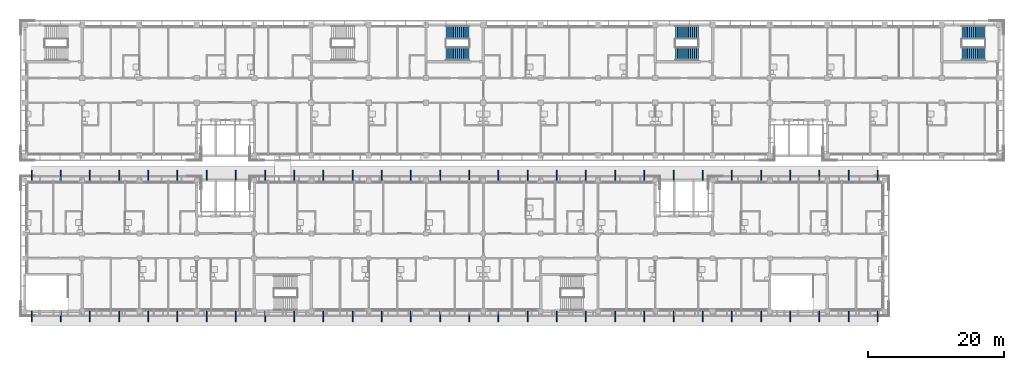
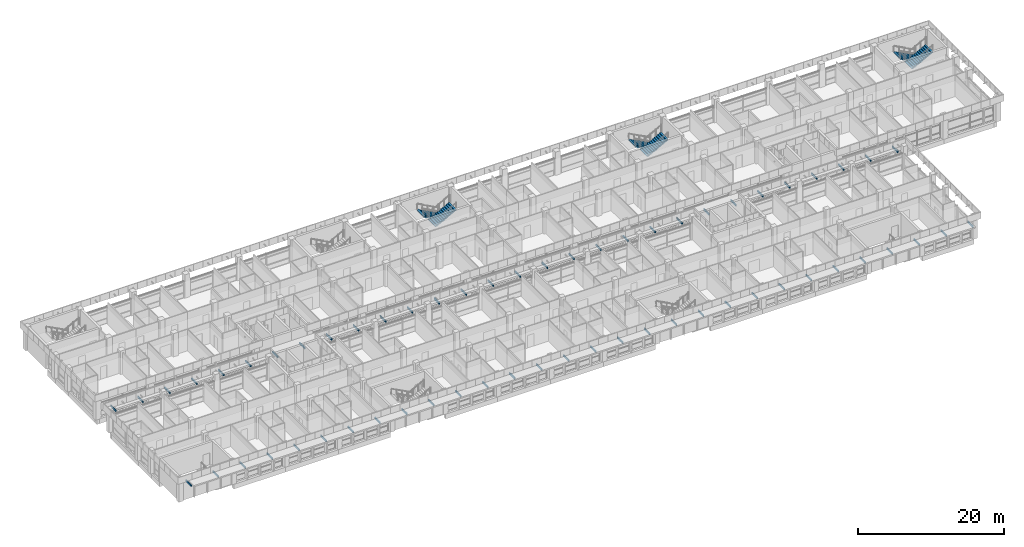
# One storey, part 41 of 71: 60 discrete accessories, 6 stair flights, 3 elements without a shape of their own.
"""IFC4 building model written with IfcOpenShell, lengths in metres."""

from ifc_helpers import new_model, si_unit, direction, frame, origin, origin_2d, place, context, subcontext, project, spatial, polyline, rectangle, outline, extrude, material, type_object, element, aggregate, save


model = new_model("IFC4")

# Units and contexts
model_context = context("Model", 3, precision=1e-05, world=origin(), true_north=direction((0.0, 1.0)))
body_context = subcontext(model_context, "Body", "Model", "MODEL_VIEW")
ifc_project = project(units=[si_unit("LENGTHUNIT", "METRE"), si_unit("AREAUNIT", "SQUARE_METRE"), si_unit("VOLUMEUNIT", "CUBIC_METRE"), si_unit("PLANEANGLEUNIT", "RADIAN"), si_unit("MASSUNIT", "GRAM", prefix="KILO")], contexts=[model_context])

# Site, building, storey
site_placement = place(None, origin())
site = spatial("IfcSite", under=ifc_project, at=site_placement, CompositionType="ELEMENT")
building_placement = place(site_placement, origin())
building = spatial("IfcBuilding", under=site, at=building_placement, Name="Bougainvillea Quay General Hospital", CompositionType="ELEMENT")
storey_placement = place(building_placement, frame((0.0, 0.0, 24.89990234375)))
storey = spatial("IfcBuildingStorey", under=building, at=storey_placement, Name="L05", CompositionType="ELEMENT", Elevation=24.89990234375)

# Stair, stair flights
ifc_material_1 = material(Name="Concrete C35", Category="concrete")
stair_type = type_object("IfcStairType", Name="Stair half-turn 1925 wide", PredefinedType="HALF_TURN_STAIR", material=ifc_material_1)
stair_1_placement = place(storey_placement, origin())
stair_1 = element("IfcStair", 1, at=stair_1_placement, inside=storey, type_object=stair_type, Name="L05 stair ST-A3", PredefinedType="HALF_TURN_STAIR")
stair_flight_type = type_object("IfcStairFlightType", Name="Stair flight 1925", PredefinedType="STRAIGHT", material=ifc_material_1)
stair_flight_1_placement = place(storey_placement, frame((140.699951171875, 158.46240234375, 0.0), z_axis=(0.0, 0.0, 1.0), x_axis=(-1.0, 0.0, 0.0)))
stair_flight_1 = element("IfcStairFlight", 2, at=stair_flight_1_placement, type_object=stair_flight_type, Name="ST-A3 flight 1", NumberOfRisers=13, NumberOfTreads=12, PredefinedType="STRAIGHT", RiserHeight=0.15, TreadLength=0.28, context=body_context, shape_type="SweptSolid", body=[
    extrude(outline(polyline([(-0.0029296875, 0.0), (-0.0029296875, 0.003662109375), (-0.0029296875, 0.00732421875), (-0.0029296875, 0.010986328125), (-0.0029296875, 0.0146484375), (-0.0029296875, 0.018310546875), (-0.0029296875, 0.02197265625), (-0.0029296875, 0.025634765625), (-0.0029296875, 0.029296875), (-0.0029296875, 0.032958984375), (-0.0029296875, 0.03662109375), (-0.0029296875, 0.040283203125), (-0.0029296875, 0.0439453125), (-0.0029296875, 0.047607421875), (-0.0029296875, 0.05126953125), (-0.0029296875, 0.054931640625), (-0.0029296875, 0.05859375), (-0.0029296875, 0.062255859375), (-0.0029296875, 0.06591796875), (-0.0029296875, 0.069580078125), (-0.0029296875, 0.0732421875), (-0.0029296875, 0.076904296875), (-0.0029296875, 0.08056640625), (-0.0029296875, 0.084228515625), (-0.0029296875, 0.087890625), (-0.0029296875, 0.091552734375), (-0.0029296875, 0.09521484375), (-0.0029296875, 0.098876953125), (-0.0029296875, 0.1025390625), (-0.0029296875, 0.106201171875), (-0.0029296875, 0.10986328125), (-0.0029296875, 0.113525390625), (-0.0029296875, 0.1171875), (-0.0029296875, 0.120849609375), (-0.0029296875, 0.12451171875), (-0.0029296875, 0.1279296875), (-0.0029296875, 0.131591796875), (-0.0029296875, 0.13525390625), (-0.0029296875, 0.138916015625), (-0.0029296875, 0.142578125), (-0.0029296875, 0.146240234375), (-0.0029296875, 0.14990234375), (0.280029296875, 0.14990234375), (0.280029296875, 0.300048828125), (0.56005859375, 0.300048828125), (0.56005859375, 0.449951171875), (0.840087890625, 0.449951171875), (0.840087890625, 0.60009765625), (1.1201171875, 0.60009765625), (1.1201171875, 0.75), (1.39990234375, 0.75), (1.39990234375, 0.89990234375), (1.679931640625, 0.89990234375), (1.679931640625, 1.050048828125), (1.9599609375, 1.050048828125), (1.9599609375, 1.199951171875), (2.239990234375, 1.199951171875), (2.239990234375, 1.35009765625), (2.52001953125, 1.35009765625), (2.52001953125, 1.5), (2.800048828125, 1.5), (2.800048828125, 1.64990234375), (3.080078125, 1.64990234375), (3.080078125, 1.800048828125), (3.363037109375, 1.800048828125), (3.363037109375, 1.7958984375), (3.363037109375, 1.791748046875), (3.363037109375, 1.78759765625), (3.363037109375, 1.783447265625), (3.363037109375, 1.779296875), (3.363037109375, 1.775146484375), (3.363037109375, 1.77099609375), (3.363037109375, 1.766845703125), (3.363037109375, 1.7626953125), (3.363037109375, 1.758544921875), (3.363037109375, 1.75439453125), (3.363037109375, 1.750244140625), (3.363037109375, 1.74609375), (3.363037109375, 1.741943359375), (3.363037109375, 1.73779296875), (3.363037109375, 1.733642578125), (3.363037109375, 1.7294921875), (3.363037109375, 1.725341796875), (3.363037109375, 1.72119140625), (3.363037109375, 1.717041015625), (3.363037109375, 1.712890625), (3.363037109375, 1.708740234375), (3.363037109375, 1.70458984375), (3.363037109375, 1.700439453125), (3.363037109375, 1.6962890625), (3.363037109375, 1.692138671875), (3.363037109375, 1.68798828125), (3.363037109375, 1.683837890625), (3.363037109375, 1.6796875), (3.363037109375, 1.675537109375), (3.363037109375, 1.67138671875), (3.363037109375, 1.667236328125), (3.363037109375, 1.6630859375), (3.363037109375, 1.658935546875), (3.363037109375, 1.65478515625), (3.363037109375, 1.650634765625), (3.363037109375, 1.646484375), (3.363037109375, 1.642333984375), (3.363037109375, 1.63818359375), (3.363037109375, 1.634033203125), (3.363037109375, 1.6298828125), (0.3173828125, 0.0), (-0.0029296875, 0.0)])), frame((0.0, 0.96240234375, 0.0), z_axis=(0.0, -1.0, 0.0), x_axis=(1.0, 0.0, 0.0)), (0.0, 0.0, 1.0), 1.925048828125),
])
stair_flight_2_placement = place(storey_placement, frame((137.340087890625, 155.33740234375, 1.9501953125), z_axis=(0.0, 0.0, 1.0), x_axis=(1.0, 0.0, 0.0)))
stair_flight_2 = element("IfcStairFlight", 3, at=stair_flight_2_placement, type_object=stair_flight_type, Name="ST-A3 flight 2", NumberOfRisers=13, NumberOfTreads=12, PredefinedType="STRAIGHT", RiserHeight=0.15, TreadLength=0.28, context=body_context, shape_type="SweptSolid", body=[
    extrude(outline(polyline([(-0.0029296875, 0.0), (-0.0029296875, 0.003662109375), (-0.0029296875, 0.00732421875), (-0.0029296875, 0.010986328125), (-0.0029296875, 0.0146484375), (-0.0029296875, 0.018310546875), (-0.0029296875, 0.02197265625), (-0.0029296875, 0.025634765625), (-0.0029296875, 0.029296875), (-0.0029296875, 0.032958984375), (-0.0029296875, 0.03662109375), (-0.0029296875, 0.040283203125), (-0.0029296875, 0.0439453125), (-0.0029296875, 0.047607421875), (-0.0029296875, 0.05126953125), (-0.0029296875, 0.054931640625), (-0.0029296875, 0.05859375), (-0.0029296875, 0.062255859375), (-0.0029296875, 0.06591796875), (-0.0029296875, 0.069580078125), (-0.0029296875, 0.0732421875), (-0.0029296875, 0.076904296875), (-0.0029296875, 0.08056640625), (-0.0029296875, 0.084228515625), (-0.0029296875, 0.087890625), (-0.0029296875, 0.091552734375), (-0.0029296875, 0.09521484375), (-0.0029296875, 0.098876953125), (-0.0029296875, 0.1025390625), (-0.0029296875, 0.106201171875), (-0.0029296875, 0.10986328125), (-0.0029296875, 0.113525390625), (-0.0029296875, 0.1171875), (-0.0029296875, 0.120849609375), (-0.0029296875, 0.12451171875), (-0.0029296875, 0.1279296875), (-0.0029296875, 0.131591796875), (-0.0029296875, 0.13525390625), (-0.0029296875, 0.138916015625), (-0.0029296875, 0.142578125), (-0.0029296875, 0.146240234375), (-0.0029296875, 0.14990234375), (0.280029296875, 0.14990234375), (0.280029296875, 0.300048828125), (0.56005859375, 0.300048828125), (0.56005859375, 0.449951171875), (0.840087890625, 0.449951171875), (0.840087890625, 0.60009765625), (1.1201171875, 0.60009765625), (1.1201171875, 0.75), (1.39990234375, 0.75), (1.39990234375, 0.89990234375), (1.679931640625, 0.89990234375), (1.679931640625, 1.050048828125), (1.9599609375, 1.050048828125), (1.9599609375, 1.199951171875), (2.239990234375, 1.199951171875), (2.239990234375, 1.35009765625), (2.52001953125, 1.35009765625), (2.52001953125, 1.5), (2.800048828125, 1.5), (2.800048828125, 1.64990234375), (3.080078125, 1.64990234375), (3.080078125, 1.800048828125), (3.363037109375, 1.800048828125), (3.363037109375, 1.7958984375), (3.363037109375, 1.791748046875), (3.363037109375, 1.78759765625), (3.363037109375, 1.783447265625), (3.363037109375, 1.779296875), (3.363037109375, 1.775146484375), (3.363037109375, 1.77099609375), (3.363037109375, 1.766845703125), (3.363037109375, 1.7626953125), (3.363037109375, 1.758544921875), (3.363037109375, 1.75439453125), (3.363037109375, 1.750244140625), (3.363037109375, 1.74609375), (3.363037109375, 1.741943359375), (3.363037109375, 1.73779296875), (3.363037109375, 1.733642578125), (3.363037109375, 1.7294921875), (3.363037109375, 1.725341796875), (3.363037109375, 1.72119140625), (3.363037109375, 1.717041015625), (3.363037109375, 1.712890625), (3.363037109375, 1.708740234375), (3.363037109375, 1.70458984375), (3.363037109375, 1.700439453125), (3.363037109375, 1.6962890625), (3.363037109375, 1.692138671875), (3.363037109375, 1.68798828125), (3.363037109375, 1.683837890625), (3.363037109375, 1.6796875), (3.363037109375, 1.675537109375), (3.363037109375, 1.67138671875), (3.363037109375, 1.667236328125), (3.363037109375, 1.6630859375), (3.363037109375, 1.658935546875), (3.363037109375, 1.65478515625), (3.363037109375, 1.650634765625), (3.363037109375, 1.646484375), (3.363037109375, 1.642333984375), (3.363037109375, 1.63818359375), (3.363037109375, 1.634033203125), (3.363037109375, 1.6298828125), (0.3173828125, 0.0), (-0.0029296875, 0.0)])), frame((0.0, 0.96240234375, 0.0), z_axis=(0.0, -1.0, 0.0), x_axis=(1.0, 0.0, 0.0)), (0.0, 0.0, 1.0), 1.925048828125),
])
aggregate(stair_1, [stair_flight_1, stair_flight_2])

stair_2_placement = place(storey_placement, origin())
stair_2 = element("IfcStair", 4, at=stair_2_placement, inside=storey, type_object=stair_type, Name="L05 stair ST-A4", PredefinedType="HALF_TURN_STAIR")
stair_flight_3_placement = place(storey_placement, frame((182.699951171875, 158.46240234375, 0.0), z_axis=(0.0, 0.0, 1.0), x_axis=(-1.0, 0.0, 0.0)))
stair_flight_3 = element("IfcStairFlight", 5, at=stair_flight_3_placement, type_object=stair_flight_type, Name="ST-A4 flight 1", NumberOfRisers=13, NumberOfTreads=12, PredefinedType="STRAIGHT", RiserHeight=0.15, TreadLength=0.28, context=body_context, shape_type="SweptSolid", body=[
    extrude(outline(polyline([(-0.0029296875, 0.0), (-0.0029296875, 0.003662109375), (-0.0029296875, 0.00732421875), (-0.0029296875, 0.010986328125), (-0.0029296875, 0.0146484375), (-0.0029296875, 0.018310546875), (-0.0029296875, 0.02197265625), (-0.0029296875, 0.025634765625), (-0.0029296875, 0.029296875), (-0.0029296875, 0.032958984375), (-0.0029296875, 0.03662109375), (-0.0029296875, 0.040283203125), (-0.0029296875, 0.0439453125), (-0.0029296875, 0.047607421875), (-0.0029296875, 0.05126953125), (-0.0029296875, 0.054931640625), (-0.0029296875, 0.05859375), (-0.0029296875, 0.062255859375), (-0.0029296875, 0.06591796875), (-0.0029296875, 0.069580078125), (-0.0029296875, 0.0732421875), (-0.0029296875, 0.076904296875), (-0.0029296875, 0.08056640625), (-0.0029296875, 0.084228515625), (-0.0029296875, 0.087890625), (-0.0029296875, 0.091552734375), (-0.0029296875, 0.09521484375), (-0.0029296875, 0.098876953125), (-0.0029296875, 0.1025390625), (-0.0029296875, 0.106201171875), (-0.0029296875, 0.10986328125), (-0.0029296875, 0.113525390625), (-0.0029296875, 0.1171875), (-0.0029296875, 0.120849609375), (-0.0029296875, 0.12451171875), (-0.0029296875, 0.1279296875), (-0.0029296875, 0.131591796875), (-0.0029296875, 0.13525390625), (-0.0029296875, 0.138916015625), (-0.0029296875, 0.142578125), (-0.0029296875, 0.146240234375), (-0.0029296875, 0.14990234375), (0.280029296875, 0.14990234375), (0.280029296875, 0.300048828125), (0.56005859375, 0.300048828125), (0.56005859375, 0.449951171875), (0.840087890625, 0.449951171875), (0.840087890625, 0.60009765625), (1.1201171875, 0.60009765625), (1.1201171875, 0.75), (1.39990234375, 0.75), (1.39990234375, 0.89990234375), (1.679931640625, 0.89990234375), (1.679931640625, 1.050048828125), (1.9599609375, 1.050048828125), (1.9599609375, 1.199951171875), (2.239990234375, 1.199951171875), (2.239990234375, 1.35009765625), (2.52001953125, 1.35009765625), (2.52001953125, 1.5), (2.800048828125, 1.5), (2.800048828125, 1.64990234375), (3.080078125, 1.64990234375), (3.080078125, 1.800048828125), (3.363037109375, 1.800048828125), (3.363037109375, 1.7958984375), (3.363037109375, 1.791748046875), (3.363037109375, 1.78759765625), (3.363037109375, 1.783447265625), (3.363037109375, 1.779296875), (3.363037109375, 1.775146484375), (3.363037109375, 1.77099609375), (3.363037109375, 1.766845703125), (3.363037109375, 1.7626953125), (3.363037109375, 1.758544921875), (3.363037109375, 1.75439453125), (3.363037109375, 1.750244140625), (3.363037109375, 1.74609375), (3.363037109375, 1.741943359375), (3.363037109375, 1.73779296875), (3.363037109375, 1.733642578125), (3.363037109375, 1.7294921875), (3.363037109375, 1.725341796875), (3.363037109375, 1.72119140625), (3.363037109375, 1.717041015625), (3.363037109375, 1.712890625), (3.363037109375, 1.708740234375), (3.363037109375, 1.70458984375), (3.363037109375, 1.700439453125), (3.363037109375, 1.6962890625), (3.363037109375, 1.692138671875), (3.363037109375, 1.68798828125), (3.363037109375, 1.683837890625), (3.363037109375, 1.6796875), (3.363037109375, 1.675537109375), (3.363037109375, 1.67138671875), (3.363037109375, 1.667236328125), (3.363037109375, 1.6630859375), (3.363037109375, 1.658935546875), (3.363037109375, 1.65478515625), (3.363037109375, 1.650634765625), (3.363037109375, 1.646484375), (3.363037109375, 1.642333984375), (3.363037109375, 1.63818359375), (3.363037109375, 1.634033203125), (3.363037109375, 1.6298828125), (0.3173828125, 0.0), (-0.0029296875, 0.0)])), frame((0.0, 0.96240234375, 0.0), z_axis=(0.0, -1.0, 0.0), x_axis=(1.0, 0.0, 0.0)), (0.0, 0.0, 1.0), 1.925048828125),
])
stair_flight_4_placement = place(storey_placement, frame((179.340087890625, 155.33740234375, 1.9501953125), z_axis=(0.0, 0.0, 1.0), x_axis=(1.0, 0.0, 0.0)))
stair_flight_4 = element("IfcStairFlight", 6, at=stair_flight_4_placement, type_object=stair_flight_type, Name="ST-A4 flight 2", NumberOfRisers=13, NumberOfTreads=12, PredefinedType="STRAIGHT", RiserHeight=0.15, TreadLength=0.28, context=body_context, shape_type="SweptSolid", body=[
    extrude(outline(polyline([(-0.0029296875, 0.0), (-0.0029296875, 0.003662109375), (-0.0029296875, 0.00732421875), (-0.0029296875, 0.010986328125), (-0.0029296875, 0.0146484375), (-0.0029296875, 0.018310546875), (-0.0029296875, 0.02197265625), (-0.0029296875, 0.025634765625), (-0.0029296875, 0.029296875), (-0.0029296875, 0.032958984375), (-0.0029296875, 0.03662109375), (-0.0029296875, 0.040283203125), (-0.0029296875, 0.0439453125), (-0.0029296875, 0.047607421875), (-0.0029296875, 0.05126953125), (-0.0029296875, 0.054931640625), (-0.0029296875, 0.05859375), (-0.0029296875, 0.062255859375), (-0.0029296875, 0.06591796875), (-0.0029296875, 0.069580078125), (-0.0029296875, 0.0732421875), (-0.0029296875, 0.076904296875), (-0.0029296875, 0.08056640625), (-0.0029296875, 0.084228515625), (-0.0029296875, 0.087890625), (-0.0029296875, 0.091552734375), (-0.0029296875, 0.09521484375), (-0.0029296875, 0.098876953125), (-0.0029296875, 0.1025390625), (-0.0029296875, 0.106201171875), (-0.0029296875, 0.10986328125), (-0.0029296875, 0.113525390625), (-0.0029296875, 0.1171875), (-0.0029296875, 0.120849609375), (-0.0029296875, 0.12451171875), (-0.0029296875, 0.1279296875), (-0.0029296875, 0.131591796875), (-0.0029296875, 0.13525390625), (-0.0029296875, 0.138916015625), (-0.0029296875, 0.142578125), (-0.0029296875, 0.146240234375), (-0.0029296875, 0.14990234375), (0.280029296875, 0.14990234375), (0.280029296875, 0.300048828125), (0.56005859375, 0.300048828125), (0.56005859375, 0.449951171875), (0.840087890625, 0.449951171875), (0.840087890625, 0.60009765625), (1.1201171875, 0.60009765625), (1.1201171875, 0.75), (1.39990234375, 0.75), (1.39990234375, 0.89990234375), (1.679931640625, 0.89990234375), (1.679931640625, 1.050048828125), (1.9599609375, 1.050048828125), (1.9599609375, 1.199951171875), (2.239990234375, 1.199951171875), (2.239990234375, 1.35009765625), (2.52001953125, 1.35009765625), (2.52001953125, 1.5), (2.800048828125, 1.5), (2.800048828125, 1.64990234375), (3.080078125, 1.64990234375), (3.080078125, 1.800048828125), (3.363037109375, 1.800048828125), (3.363037109375, 1.7958984375), (3.363037109375, 1.791748046875), (3.363037109375, 1.78759765625), (3.363037109375, 1.783447265625), (3.363037109375, 1.779296875), (3.363037109375, 1.775146484375), (3.363037109375, 1.77099609375), (3.363037109375, 1.766845703125), (3.363037109375, 1.7626953125), (3.363037109375, 1.758544921875), (3.363037109375, 1.75439453125), (3.363037109375, 1.750244140625), (3.363037109375, 1.74609375), (3.363037109375, 1.741943359375), (3.363037109375, 1.73779296875), (3.363037109375, 1.733642578125), (3.363037109375, 1.7294921875), (3.363037109375, 1.725341796875), (3.363037109375, 1.72119140625), (3.363037109375, 1.717041015625), (3.363037109375, 1.712890625), (3.363037109375, 1.708740234375), (3.363037109375, 1.70458984375), (3.363037109375, 1.700439453125), (3.363037109375, 1.6962890625), (3.363037109375, 1.692138671875), (3.363037109375, 1.68798828125), (3.363037109375, 1.683837890625), (3.363037109375, 1.6796875), (3.363037109375, 1.675537109375), (3.363037109375, 1.67138671875), (3.363037109375, 1.667236328125), (3.363037109375, 1.6630859375), (3.363037109375, 1.658935546875), (3.363037109375, 1.65478515625), (3.363037109375, 1.650634765625), (3.363037109375, 1.646484375), (3.363037109375, 1.642333984375), (3.363037109375, 1.63818359375), (3.363037109375, 1.634033203125), (3.363037109375, 1.6298828125), (0.3173828125, 0.0), (-0.0029296875, 0.0)])), frame((0.0, 0.96240234375, 0.0), z_axis=(0.0, -1.0, 0.0), x_axis=(1.0, 0.0, 0.0)), (0.0, 0.0, 1.0), 1.925048828125),
])
aggregate(stair_2, [stair_flight_3, stair_flight_4])

stair_3_placement = place(storey_placement, origin())
stair_3 = element("IfcStair", 7, at=stair_3_placement, inside=storey, type_object=stair_type, Name="L05 stair ST-A5", PredefinedType="HALF_TURN_STAIR")
stair_flight_5_placement = place(storey_placement, frame((107.10009765625, 158.46240234375, 0.0), z_axis=(0.0, 0.0, 1.0), x_axis=(-1.0, 0.0, 0.0)))
stair_flight_5 = element("IfcStairFlight", 8, at=stair_flight_5_placement, type_object=stair_flight_type, Name="ST-A5 flight 1", NumberOfRisers=13, NumberOfTreads=12, PredefinedType="STRAIGHT", RiserHeight=0.15, TreadLength=0.28, context=body_context, shape_type="SweptSolid", body=[
    extrude(outline(polyline([(-0.0029296875, 0.0), (-0.0029296875, 0.003662109375), (-0.0029296875, 0.00732421875), (-0.0029296875, 0.010986328125), (-0.0029296875, 0.0146484375), (-0.0029296875, 0.018310546875), (-0.0029296875, 0.02197265625), (-0.0029296875, 0.025634765625), (-0.0029296875, 0.029296875), (-0.0029296875, 0.032958984375), (-0.0029296875, 0.03662109375), (-0.0029296875, 0.040283203125), (-0.0029296875, 0.0439453125), (-0.0029296875, 0.047607421875), (-0.0029296875, 0.05126953125), (-0.0029296875, 0.054931640625), (-0.0029296875, 0.05859375), (-0.0029296875, 0.062255859375), (-0.0029296875, 0.06591796875), (-0.0029296875, 0.069580078125), (-0.0029296875, 0.0732421875), (-0.0029296875, 0.076904296875), (-0.0029296875, 0.08056640625), (-0.0029296875, 0.084228515625), (-0.0029296875, 0.087890625), (-0.0029296875, 0.091552734375), (-0.0029296875, 0.09521484375), (-0.0029296875, 0.098876953125), (-0.0029296875, 0.1025390625), (-0.0029296875, 0.106201171875), (-0.0029296875, 0.10986328125), (-0.0029296875, 0.113525390625), (-0.0029296875, 0.1171875), (-0.0029296875, 0.120849609375), (-0.0029296875, 0.12451171875), (-0.0029296875, 0.1279296875), (-0.0029296875, 0.131591796875), (-0.0029296875, 0.13525390625), (-0.0029296875, 0.138916015625), (-0.0029296875, 0.142578125), (-0.0029296875, 0.146240234375), (-0.0029296875, 0.14990234375), (0.280029296875, 0.14990234375), (0.280029296875, 0.300048828125), (0.56005859375, 0.300048828125), (0.56005859375, 0.449951171875), (0.840087890625, 0.449951171875), (0.840087890625, 0.60009765625), (1.1201171875, 0.60009765625), (1.1201171875, 0.75), (1.39990234375, 0.75), (1.39990234375, 0.89990234375), (1.679931640625, 0.89990234375), (1.679931640625, 1.050048828125), (1.9599609375, 1.050048828125), (1.9599609375, 1.199951171875), (2.239990234375, 1.199951171875), (2.239990234375, 1.35009765625), (2.52001953125, 1.35009765625), (2.52001953125, 1.5), (2.800048828125, 1.5), (2.800048828125, 1.64990234375), (3.080078125, 1.64990234375), (3.080078125, 1.800048828125), (3.363037109375, 1.800048828125), (3.363037109375, 1.7958984375), (3.363037109375, 1.791748046875), (3.363037109375, 1.78759765625), (3.363037109375, 1.783447265625), (3.363037109375, 1.779296875), (3.363037109375, 1.775146484375), (3.363037109375, 1.77099609375), (3.363037109375, 1.766845703125), (3.363037109375, 1.7626953125), (3.363037109375, 1.758544921875), (3.363037109375, 1.75439453125), (3.363037109375, 1.750244140625), (3.363037109375, 1.74609375), (3.363037109375, 1.741943359375), (3.363037109375, 1.73779296875), (3.363037109375, 1.733642578125), (3.363037109375, 1.7294921875), (3.363037109375, 1.725341796875), (3.363037109375, 1.72119140625), (3.363037109375, 1.717041015625), (3.363037109375, 1.712890625), (3.363037109375, 1.708740234375), (3.363037109375, 1.70458984375), (3.363037109375, 1.700439453125), (3.363037109375, 1.6962890625), (3.363037109375, 1.692138671875), (3.363037109375, 1.68798828125), (3.363037109375, 1.683837890625), (3.363037109375, 1.6796875), (3.363037109375, 1.675537109375), (3.363037109375, 1.67138671875), (3.363037109375, 1.667236328125), (3.363037109375, 1.6630859375), (3.363037109375, 1.658935546875), (3.363037109375, 1.65478515625), (3.363037109375, 1.650634765625), (3.363037109375, 1.646484375), (3.363037109375, 1.642333984375), (3.363037109375, 1.63818359375), (3.363037109375, 1.634033203125), (3.363037109375, 1.6298828125), (0.3173828125, 0.0), (-0.0029296875, 0.0)])), frame((0.0, 0.96240234375, 0.0), z_axis=(0.0, -1.0, 0.0), x_axis=(1.0, 0.0, 0.0)), (0.0, 0.0, 1.0), 1.925048828125),
])
stair_flight_6_placement = place(storey_placement, frame((103.739990234375, 155.33740234375, 1.9501953125), z_axis=(0.0, 0.0, 1.0), x_axis=(1.0, 0.0, 0.0)))
stair_flight_6 = element("IfcStairFlight", 9, at=stair_flight_6_placement, type_object=stair_flight_type, Name="ST-A5 flight 2", NumberOfRisers=13, NumberOfTreads=12, PredefinedType="STRAIGHT", RiserHeight=0.15, TreadLength=0.28, context=body_context, shape_type="SweptSolid", body=[
    extrude(outline(polyline([(-0.0029296875, 0.0), (-0.0029296875, 0.003662109375), (-0.0029296875, 0.00732421875), (-0.0029296875, 0.010986328125), (-0.0029296875, 0.0146484375), (-0.0029296875, 0.018310546875), (-0.0029296875, 0.02197265625), (-0.0029296875, 0.025634765625), (-0.0029296875, 0.029296875), (-0.0029296875, 0.032958984375), (-0.0029296875, 0.03662109375), (-0.0029296875, 0.040283203125), (-0.0029296875, 0.0439453125), (-0.0029296875, 0.047607421875), (-0.0029296875, 0.05126953125), (-0.0029296875, 0.054931640625), (-0.0029296875, 0.05859375), (-0.0029296875, 0.062255859375), (-0.0029296875, 0.06591796875), (-0.0029296875, 0.069580078125), (-0.0029296875, 0.0732421875), (-0.0029296875, 0.076904296875), (-0.0029296875, 0.08056640625), (-0.0029296875, 0.084228515625), (-0.0029296875, 0.087890625), (-0.0029296875, 0.091552734375), (-0.0029296875, 0.09521484375), (-0.0029296875, 0.098876953125), (-0.0029296875, 0.1025390625), (-0.0029296875, 0.106201171875), (-0.0029296875, 0.10986328125), (-0.0029296875, 0.113525390625), (-0.0029296875, 0.1171875), (-0.0029296875, 0.120849609375), (-0.0029296875, 0.12451171875), (-0.0029296875, 0.1279296875), (-0.0029296875, 0.131591796875), (-0.0029296875, 0.13525390625), (-0.0029296875, 0.138916015625), (-0.0029296875, 0.142578125), (-0.0029296875, 0.146240234375), (-0.0029296875, 0.14990234375), (0.280029296875, 0.14990234375), (0.280029296875, 0.300048828125), (0.56005859375, 0.300048828125), (0.56005859375, 0.449951171875), (0.840087890625, 0.449951171875), (0.840087890625, 0.60009765625), (1.1201171875, 0.60009765625), (1.1201171875, 0.75), (1.39990234375, 0.75), (1.39990234375, 0.89990234375), (1.679931640625, 0.89990234375), (1.679931640625, 1.050048828125), (1.9599609375, 1.050048828125), (1.9599609375, 1.199951171875), (2.239990234375, 1.199951171875), (2.239990234375, 1.35009765625), (2.52001953125, 1.35009765625), (2.52001953125, 1.5), (2.800048828125, 1.5), (2.800048828125, 1.64990234375), (3.080078125, 1.64990234375), (3.080078125, 1.800048828125), (3.363037109375, 1.800048828125), (3.363037109375, 1.7958984375), (3.363037109375, 1.791748046875), (3.363037109375, 1.78759765625), (3.363037109375, 1.783447265625), (3.363037109375, 1.779296875), (3.363037109375, 1.775146484375), (3.363037109375, 1.77099609375), (3.363037109375, 1.766845703125), (3.363037109375, 1.7626953125), (3.363037109375, 1.758544921875), (3.363037109375, 1.75439453125), (3.363037109375, 1.750244140625), (3.363037109375, 1.74609375), (3.363037109375, 1.741943359375), (3.363037109375, 1.73779296875), (3.363037109375, 1.733642578125), (3.363037109375, 1.7294921875), (3.363037109375, 1.725341796875), (3.363037109375, 1.72119140625), (3.363037109375, 1.717041015625), (3.363037109375, 1.712890625), (3.363037109375, 1.708740234375), (3.363037109375, 1.70458984375), (3.363037109375, 1.700439453125), (3.363037109375, 1.6962890625), (3.363037109375, 1.692138671875), (3.363037109375, 1.68798828125), (3.363037109375, 1.683837890625), (3.363037109375, 1.6796875), (3.363037109375, 1.675537109375), (3.363037109375, 1.67138671875), (3.363037109375, 1.667236328125), (3.363037109375, 1.6630859375), (3.363037109375, 1.658935546875), (3.363037109375, 1.65478515625), (3.363037109375, 1.650634765625), (3.363037109375, 1.646484375), (3.363037109375, 1.642333984375), (3.363037109375, 1.63818359375), (3.363037109375, 1.634033203125), (3.363037109375, 1.6298828125), (0.3173828125, 0.0), (-0.0029296875, 0.0)])), frame((0.0, 0.96240234375, 0.0), z_axis=(0.0, -1.0, 0.0), x_axis=(1.0, 0.0, 0.0)), (0.0, 0.0, 1.0), 1.925048828125),
])
aggregate(stair_3, [stair_flight_5, stair_flight_6])

# Discrete accessories
ifc_material_2 = material(Name="Galvanised steel bracket, grey", Category="steel")
discrete_accessory_type = type_object("IfcDiscreteAccessoryType", Name="Eave bracket 1500x150x300", PredefinedType="BRACKET", material=ifc_material_2)
for number, where, z_axis, x_axis, name in (
    (10, (43.0, 116.85009765625, 2.89990234375), (0.0, 0.0, 1.0), (1.0, 0.0, 0.0), "Eave bracket V5BS1"),
    (11, (47.27587890625, 116.85009765625, 2.89990234375), (0.0, 0.0, 1.0), (1.0, 0.0, 0.0), "Eave bracket V5BS2"),
    (12, (51.552001953125, 116.85009765625, 2.89990234375), (0.0, 0.0, 1.0), (1.0, 0.0, 0.0), "Eave bracket V5BS3"),
    (13, (55.827880859375, 116.85009765625, 2.89990234375), (0.0, 0.0, 1.0), (1.0, 0.0, 0.0), "Eave bracket V5BS4"),
    (14, (60.10302734375, 116.85009765625, 2.89990234375), (0.0, 0.0, 1.0), (1.0, 0.0, 0.0), "Eave bracket V5BS5"),
    (15, (64.37890625, 116.85009765625, 2.89990234375), (0.0, 0.0, 1.0), (1.0, 0.0, 0.0), "Eave bracket V5BS6"),
    (16, (68.655029296875, 116.85009765625, 2.89990234375), (0.0, 0.0, 1.0), (1.0, 0.0, 0.0), "Eave bracket V5BS7"),
    (17, (72.930908203125, 116.85009765625, 2.89990234375), (0.0, 0.0, 1.0), (1.0, 0.0, 0.0), "Eave bracket V5BS8"),
    (18, (77.20703125, 116.85009765625, 2.89990234375), (0.0, 0.0, 1.0), (1.0, 0.0, 0.0), "Eave bracket V5BS9"),
    (19, (81.48291015625, 116.85009765625, 2.89990234375), (0.0, 0.0, 1.0), (1.0, 0.0, 0.0), "Eave bracket V5BS10"),
    (20, (85.759033203125, 116.85009765625, 2.89990234375), (0.0, 0.0, 1.0), (1.0, 0.0, 0.0), "Eave bracket V5BS11"),
    (21, (90.033935546875, 116.85009765625, 2.89990234375), (0.0, 0.0, 1.0), (1.0, 0.0, 0.0), "Eave bracket V5BS12"),
    (22, (94.31005859375, 116.85009765625, 2.89990234375), (0.0, 0.0, 1.0), (1.0, 0.0, 0.0), "Eave bracket V5BS13"),
    (23, (98.5859375, 116.85009765625, 2.89990234375), (0.0, 0.0, 1.0), (1.0, 0.0, 0.0), "Eave bracket V5BS14"),
    (24, (102.862060546875, 116.85009765625, 2.89990234375), (0.0, 0.0, 1.0), (1.0, 0.0, 0.0), "Eave bracket V5BS15"),
    (25, (107.137939453125, 116.85009765625, 2.89990234375), (0.0, 0.0, 1.0), (1.0, 0.0, 0.0), "Eave bracket V5BS16"),
    (26, (111.4140625, 116.85009765625, 2.89990234375), (0.0, 0.0, 1.0), (1.0, 0.0, 0.0), "Eave bracket V5BS17"),
    (27, (115.68994140625, 116.85009765625, 2.89990234375), (0.0, 0.0, 1.0), (1.0, 0.0, 0.0), "Eave bracket V5BS18"),
    (28, (119.966064453125, 116.85009765625, 2.89990234375), (0.0, 0.0, 1.0), (1.0, 0.0, 0.0), "Eave bracket V5BS19"),
    (29, (124.240966796875, 116.85009765625, 2.89990234375), (0.0, 0.0, 1.0), (1.0, 0.0, 0.0), "Eave bracket V5BS20"),
    (30, (128.51708984375, 116.85009765625, 2.89990234375), (0.0, 0.0, 1.0), (1.0, 0.0, 0.0), "Eave bracket V5BS21"),
    (31, (132.79296875, 116.85009765625, 2.89990234375), (0.0, 0.0, 1.0), (1.0, 0.0, 0.0), "Eave bracket V5BS22"),
    (32, (137.069091796875, 116.85009765625, 2.89990234375), (0.0, 0.0, 1.0), (1.0, 0.0, 0.0), "Eave bracket V5BS23"),
    (33, (141.344970703125, 116.85009765625, 2.89990234375), (0.0, 0.0, 1.0), (1.0, 0.0, 0.0), "Eave bracket V5BS24"),
    (34, (145.62109375, 116.85009765625, 2.89990234375), (0.0, 0.0, 1.0), (1.0, 0.0, 0.0), "Eave bracket V5BS25"),
    (35, (149.89697265625, 116.85009765625, 2.89990234375), (0.0, 0.0, 1.0), (1.0, 0.0, 0.0), "Eave bracket V5BS26"),
    (36, (154.172119140625, 116.85009765625, 2.89990234375), (0.0, 0.0, 1.0), (1.0, 0.0, 0.0), "Eave bracket V5BS27"),
    (37, (158.447998046875, 116.85009765625, 2.89990234375), (0.0, 0.0, 1.0), (1.0, 0.0, 0.0), "Eave bracket V5BS28"),
    (38, (162.72412109375, 116.85009765625, 2.89990234375), (0.0, 0.0, 1.0), (1.0, 0.0, 0.0), "Eave bracket V5BS29"),
    (39, (167.0, 116.85009765625, 2.89990234375), (0.0, 0.0, 1.0), (1.0, 0.0, 0.0), "Eave bracket V5BS30"),
    (40, (43.0, 137.550048828125, 2.89990234375), (0.0, 0.0, 1.0), (1.0, 0.0, 0.0), "Eave bracket V5BN1"),
    (41, (47.27587890625, 137.550048828125, 2.89990234375), (0.0, 0.0, 1.0), (1.0, 0.0, 0.0), "Eave bracket V5BN2"),
    (42, (51.552001953125, 137.550048828125, 2.89990234375), (0.0, 0.0, 1.0), (1.0, 0.0, 0.0), "Eave bracket V5BN3"),
    (43, (55.827880859375, 137.550048828125, 2.89990234375), (0.0, 0.0, 1.0), (1.0, 0.0, 0.0), "Eave bracket V5BN4"),
    (44, (60.10302734375, 137.550048828125, 2.89990234375), (0.0, 0.0, 1.0), (1.0, 0.0, 0.0), "Eave bracket V5BN5"),
    (45, (64.37890625, 137.550048828125, 2.89990234375), (0.0, 0.0, 1.0), (1.0, 0.0, 0.0), "Eave bracket V5BN6"),
    (46, (68.655029296875, 137.550048828125, 2.89990234375), (0.0, 0.0, 1.0), (1.0, 0.0, 0.0), "Eave bracket V5BN7"),
    (47, (72.930908203125, 137.550048828125, 2.89990234375), (0.0, 0.0, 1.0), (1.0, 0.0, 0.0), "Eave bracket V5BN8"),
    (48, (77.20703125, 137.550048828125, 2.89990234375), (0.0, 0.0, 1.0), (1.0, 0.0, 0.0), "Eave bracket V5BN9"),
    (49, (81.48291015625, 137.550048828125, 2.89990234375), (0.0, 0.0, 1.0), (1.0, 0.0, 0.0), "Eave bracket V5BN10"),
    (50, (85.759033203125, 137.550048828125, 2.89990234375), (0.0, 0.0, 1.0), (1.0, 0.0, 0.0), "Eave bracket V5BN11"),
    (51, (90.033935546875, 137.550048828125, 2.89990234375), (0.0, 0.0, 1.0), (1.0, 0.0, 0.0), "Eave bracket V5BN12"),
    (52, (94.31005859375, 137.550048828125, 2.89990234375), (0.0, 0.0, 1.0), (1.0, 0.0, 0.0), "Eave bracket V5BN13"),
    (53, (98.5859375, 137.550048828125, 2.89990234375), (0.0, 0.0, 1.0), (1.0, 0.0, 0.0), "Eave bracket V5BN14"),
    (54, (102.862060546875, 137.550048828125, 2.89990234375), (0.0, 0.0, 1.0), (1.0, 0.0, 0.0), "Eave bracket V5BN15"),
    (55, (107.137939453125, 137.550048828125, 2.89990234375), (0.0, 0.0, 1.0), (1.0, 0.0, 0.0), "Eave bracket V5BN16"),
    (56, (111.4140625, 137.550048828125, 2.89990234375), (0.0, 0.0, 1.0), (1.0, 0.0, 0.0), "Eave bracket V5BN17"),
    (57, (115.68994140625, 137.550048828125, 2.89990234375), (0.0, 0.0, 1.0), (1.0, 0.0, 0.0), "Eave bracket V5BN18"),
    (58, (119.966064453125, 137.550048828125, 2.89990234375), (0.0, 0.0, 1.0), (1.0, 0.0, 0.0), "Eave bracket V5BN19"),
    (59, (124.240966796875, 137.550048828125, 2.89990234375), (0.0, 0.0, 1.0), (1.0, 0.0, 0.0), "Eave bracket V5BN20"),
    (60, (128.51708984375, 137.550048828125, 2.89990234375), (0.0, 0.0, 1.0), (1.0, 0.0, 0.0), "Eave bracket V5BN21"),
    (61, (132.79296875, 137.550048828125, 2.89990234375), (0.0, 0.0, 1.0), (1.0, 0.0, 0.0), "Eave bracket V5BN22"),
    (62, (137.069091796875, 137.550048828125, 2.89990234375), (0.0, 0.0, 1.0), (1.0, 0.0, 0.0), "Eave bracket V5BN23"),
    (63, (141.344970703125, 137.550048828125, 2.89990234375), (0.0, 0.0, 1.0), (1.0, 0.0, 0.0), "Eave bracket V5BN24"),
    (64, (145.62109375, 137.550048828125, 2.89990234375), (0.0, 0.0, 1.0), (1.0, 0.0, 0.0), "Eave bracket V5BN25"),
    (65, (149.89697265625, 137.550048828125, 2.89990234375), (0.0, 0.0, 1.0), (1.0, 0.0, 0.0), "Eave bracket V5BN26"),
    (66, (154.172119140625, 137.550048828125, 2.89990234375), (0.0, 0.0, 1.0), (1.0, 0.0, 0.0), "Eave bracket V5BN27"),
    (67, (158.447998046875, 137.550048828125, 2.89990234375), (0.0, 0.0, 1.0), (1.0, 0.0, 0.0), "Eave bracket V5BN28"),
    (68, (162.72412109375, 137.550048828125, 2.89990234375), (0.0, 0.0, 1.0), (1.0, 0.0, 0.0), "Eave bracket V5BN29"),
    (69, (167.0, 137.550048828125, 2.89990234375), (0.0, 0.0, 1.0), (1.0, 0.0, 0.0), "Eave bracket V5BN30"),
):
    element("IfcDiscreteAccessory", number, at=place(storey_placement, frame(where, z_axis=z_axis, x_axis=x_axis)), inside=storey, type_object=discrete_accessory_type, Name=name, PredefinedType="BRACKET", context=body_context, shape_type="SweptSolid", body=[
        extrude(rectangle(XDim=0.14990234375, YDim=1.5, at=origin_2d()), origin(), (0.0, 0.0, 1.0), 0.300048828125),
    ])

save(model, "model.ifc")
